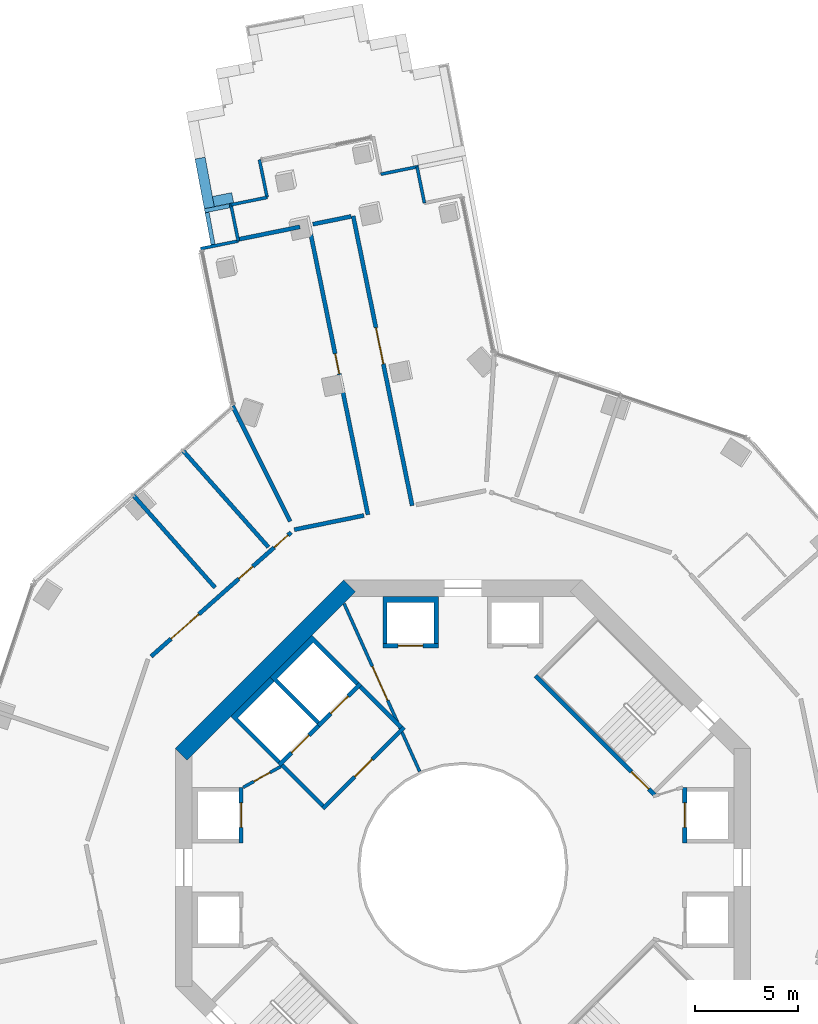
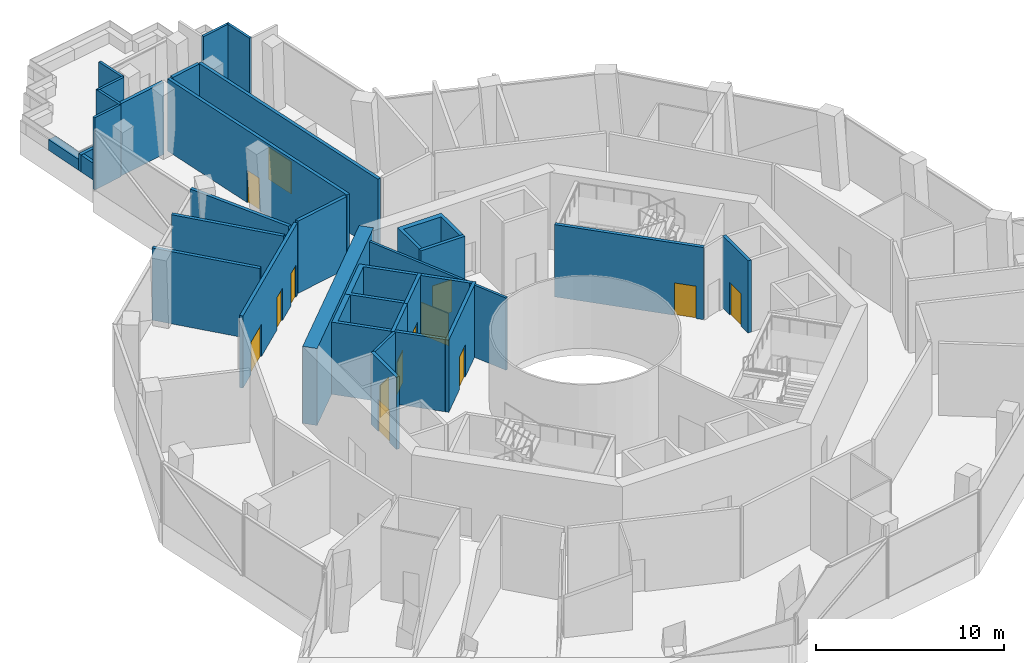
# One storey, part 12 of 20: 34 walls, 14 doors, 14 openings.
"""IFC4 building model written with IfcOpenShell, lengths in metres."""

from ifc_helpers import new_model, si_unit, direction, frame, frame_2d, origin, place, context, subcontext, project, spatial, polyline, rectangle, outline, extrude, material, layer, layer_set, type_object, element, fill, save


model = new_model("IFC4")

# Units and contexts
model_context = context("Model", 3, precision=1e-05, world=origin(), true_north=direction((0.0, 1.0)))
body_context = subcontext(model_context, "Body", "Model", "MODEL_VIEW")
ifc_project = project(units=[si_unit("LENGTHUNIT", "METRE"), si_unit("AREAUNIT", "SQUARE_METRE"), si_unit("VOLUMEUNIT", "CUBIC_METRE"), si_unit("PLANEANGLEUNIT", "RADIAN"), si_unit("MASSUNIT", "GRAM", prefix="KILO")], contexts=[model_context])

# Site, building, storey
site_placement = place(None, origin())
site = spatial("IfcSite", under=ifc_project, at=site_placement, CompositionType="ELEMENT")
building_placement = place(site_placement, origin())
building = spatial("IfcBuilding", under=site, at=building_placement, Name="Verdalira Terraces Hotel", CompositionType="ELEMENT")
storey_placement = place(building_placement, frame((0.0, 0.0, 81.0)))
storey = spatial("IfcBuildingStorey", under=building, at=storey_placement, Name="L18", CompositionType="ELEMENT", Elevation=81.0)

# Walls
ifc_material_1 = material(Name="Concrete C40", Category="concrete")
ifc_layer_1 = layer(ifc_material_1, 0.5)
ifc_layer_set_1 = layer_set([ifc_layer_1], Name="Balcony planter trough with tree")
wall_type_1 = type_object("IfcWallType", Name="Balcony planter trough with tree", PredefinedType="SOLIDWALL", material=ifc_layer_set_1)
wall_1_placement = place(storey_placement, frame((-12.797363, 34.542969, 0.0), z_axis=(0.0, 0.0, 1.0), x_axis=(0.183298702, -0.983057265, 0.0)))
element("IfcWall", 1, at=wall_1_placement, inside=storey, type_object=wall_type_1, Name="Balcony planter", PredefinedType="SOLIDWALL", context=body_context, shape_type="SweptSolid", body=[
    extrude(rectangle(XDim=2.45752, YDim=0.5, at=frame_2d((1.22876, 0.0))), origin(), (0.0, 0.0, 1.0), 0.699951),
])
wall_2_placement = place(storey_placement, frame((-12.152832, 32.42627, 0.0), z_axis=(0.0, 0.0, 1.0), x_axis=(0.979891258, 0.199532261, 0.0)))
element("IfcWall", 2, at=wall_2_placement, inside=storey, type_object=wall_type_1, Name="Balcony planter", PredefinedType="SOLIDWALL", context=body_context, shape_type="SweptSolid", body=[
    extrude(rectangle(XDim=0.96167, YDim=0.5, at=frame_2d((0.480957, 0.0))), origin(), (0.0, 0.0, 1.0), 0.699951),
])

# Wall, opening, door
ifc_material_2 = material(Name="Concrete C50", Category="concrete")
ifc_layer_2 = layer(ifc_material_2, 0.199951171875)
ifc_layer_set_2 = layer_set([ifc_layer_2], Name="Core RC wall 200 C50")
wall_type_2 = type_object("IfcWallType", Name="Core RC wall 200 C50", PredefinedType="SOLIDWALL", material=ifc_layer_set_2)
wall_3_placement = place(storey_placement, frame((10.800049, 1.199951, 0.0), z_axis=(0.0, 0.0, 1.0), x_axis=(0.0, 1.0, 0.0)))
wall_3 = element("IfcWall", 3, at=wall_3_placement, inside=storey, type_object=wall_type_2, Name="L18 shaft front wall E2", PredefinedType="SOLIDWALL", context=body_context, shape_type="SweptSolid", body=[
    extrude(rectangle(XDim=2.699951, YDim=0.199951, at=frame_2d((1.350098, 0.0))), origin(), (0.0, 0.0, 1.0), 4.689941),
])
opening_1_placement = place(wall_3_placement, frame((0.75, 0.0, 0.0)))
opening_1 = element("IfcOpeningElement", 4, at=opening_1_placement, cuts=wall_3, Name="Opening LD-L18-802", PredefinedType="OPENING", context=body_context, shape_type="SweptSolid", body=[
    extrude(rectangle(XDim=1.199951, YDim=2.100098, at=frame_2d((0.600098, 1.050049))), frame((0.0, 0.109863, 0.0), z_axis=(0.0, -1.0, 0.0), x_axis=(1.0, 0.0, 0.0)), (0.0, 0.0, 1.0), 0.219971),
])
ifc_material_3 = material(Name="Stainless steel", Category="steel")
door_type_1 = type_object("IfcDoorType", Name="Landing door 1200 x 2100", OperationType="NOTDEFINED", PredefinedType="DOOR", material=ifc_material_3)
door_1_placement = place(opening_1_placement, origin())
door_1 = element("IfcDoor", 5, at=door_1_placement, inside=storey, type_object=door_type_1, Name="Lift landing door LR2 L18", OperationType="DOUBLE_DOOR_SLIDING", OverallHeight=2.10009765625, OverallWidth=1.199951171875, PredefinedType="DOOR", context=body_context, shape_type="SweptSolid", body=[
    extrude(rectangle(XDim=1.199951, YDim=2.100098, at=frame_2d((0.600098, 1.050049))), frame((0.0, 0.024902, 0.0), z_axis=(0.0, -1.0, 0.0), x_axis=(1.0, 0.0, 0.0)), (0.0, 0.0, 1.0), 0.050049),
])
fill(opening_1, door_1)

# Wall
wall_4_placement = place(storey_placement, origin())
element("IfcWall", 6, at=wall_4_placement, inside=storey, type_object=wall_type_2, Name="L18 shaft wall N2", PredefinedType="SOLIDWALL", context=body_context, shape_type="SweptSolid", body=[
    extrude(outline(polyline([(-3.899902, 10.899902), (-3.899902, 13.199951), (-1.199951, 13.199951), (-1.199951, 10.899902), (-1.399902, 10.899902), (-1.399902, 12.899902), (-3.699951, 12.899902), (-3.699951, 10.899902), (-3.899902, 10.899902)])), origin(), (0.0, 0.0, 1.0), 4.689941),
])

# Wall, opening, door
wall_5_placement = place(storey_placement, frame((-1.199951, 10.800049, 0.0), z_axis=(0.0, 0.0, 1.0), x_axis=(-1.0, 0.0, 0.0)))
wall_5 = element("IfcWall", 7, at=wall_5_placement, inside=storey, type_object=wall_type_2, Name="L18 shaft front wall N2", PredefinedType="SOLIDWALL", context=body_context, shape_type="SweptSolid", body=[
    extrude(rectangle(XDim=2.699951, YDim=0.199951, at=frame_2d((1.350098, 0.0))), origin(), (0.0, 0.0, 1.0), 4.689941),
])
opening_2_placement = place(wall_5_placement, frame((0.75, 0.0, 0.0)))
opening_2 = element("IfcOpeningElement", 8, at=opening_2_placement, cuts=wall_5, Name="Opening LD-L18-804", PredefinedType="OPENING", context=body_context, shape_type="SweptSolid", body=[
    extrude(rectangle(XDim=1.199951, YDim=2.100098, at=frame_2d((0.600098, 1.050049))), frame((0.0, 0.109863, 0.0), z_axis=(0.0, -1.0, 0.0), x_axis=(1.0, 0.0, 0.0)), (0.0, 0.0, 1.0), 0.219971),
])
door_2_placement = place(opening_2_placement, origin())
door_2 = element("IfcDoor", 9, at=door_2_placement, inside=storey, type_object=door_type_1, Name="Lift landing door LR4 L18", OperationType="DOUBLE_DOOR_SLIDING", OverallHeight=2.10009765625, OverallWidth=1.199951171875, PredefinedType="DOOR", context=body_context, shape_type="SweptSolid", body=[
    extrude(rectangle(XDim=1.199951, YDim=2.100098, at=frame_2d((0.600098, 1.050049))), frame((0.0, 0.024902, 0.0), z_axis=(0.0, -1.0, 0.0), x_axis=(1.0, 0.0, 0.0)), (0.0, 0.0, 1.0), 0.050049),
])
fill(opening_2, door_2)

wall_6_placement = place(storey_placement, frame((-10.800049, 1.199951, 0.0), z_axis=(0.0, 0.0, 1.0), x_axis=(0.0, 1.0, 0.0)))
wall_6 = element("IfcWall", 10, at=wall_6_placement, inside=storey, type_object=wall_type_2, Name="L18 shaft front wall W1", PredefinedType="SOLIDWALL", context=body_context, shape_type="SweptSolid", body=[
    extrude(rectangle(XDim=2.699951, YDim=0.199951, at=frame_2d((1.350098, 0.0))), origin(), (0.0, 0.0, 1.0), 4.689941),
])
opening_3_placement = place(wall_6_placement, frame((0.75, 0.0, 0.0)))
opening_3 = element("IfcOpeningElement", 11, at=opening_3_placement, cuts=wall_6, Name="Opening LD-L18-805", PredefinedType="OPENING", context=body_context, shape_type="SweptSolid", body=[
    extrude(rectangle(XDim=1.199951, YDim=2.100098, at=frame_2d((0.600098, 1.050049))), frame((0.0, 0.109863, 0.0), z_axis=(0.0, -1.0, 0.0), x_axis=(1.0, 0.0, 0.0)), (0.0, 0.0, 1.0), 0.219971),
])
door_3_placement = place(opening_3_placement, origin())
door_3 = element("IfcDoor", 12, at=door_3_placement, inside=storey, type_object=door_type_1, Name="Lift landing door LR5 L18", OperationType="DOUBLE_DOOR_SLIDING", OverallHeight=2.10009765625, OverallWidth=1.199951171875, PredefinedType="DOOR", context=body_context, shape_type="SweptSolid", body=[
    extrude(rectangle(XDim=1.199951, YDim=2.100098, at=frame_2d((0.600098, 1.050049))), frame((0.0, 0.024902, 0.0), z_axis=(0.0, -1.0, 0.0), x_axis=(1.0, 0.0, 0.0)), (0.0, 0.0, 1.0), 0.050049),
])
fill(opening_3, door_3)

# Wall
wall_7_placement = place(storey_placement, origin())
element("IfcWall", 13, at=wall_7_placement, inside=storey, type_object=wall_type_2, Name="L18 shaft wall F1", PredefinedType="SOLIDWALL", context=body_context, shape_type="SweptSolid", body=[
    extrude(outline(polyline([(-9.404541, 9.263184), (-7.354004, 11.313721), (-5.055908, 9.015625), (-5.197266, 8.874268), (-7.283203, 10.960205), (-9.051025, 9.192383), (-6.965088, 7.106445), (-7.106445, 6.965088), (-9.404541, 9.263184)])), origin(), (0.0, 0.0, 1.0), 4.689941),
])

# Wall, opening, door
wall_8_placement = place(storey_placement, frame((-4.985107, 8.944824, 0.0), z_axis=(0.0, 0.0, 1.0), x_axis=(-0.707106781, -0.707106781, 0.0)))
wall_8 = element("IfcWall", 14, at=wall_8_placement, inside=storey, type_object=wall_type_2, Name="L18 shaft front wall F1", PredefinedType="SOLIDWALL", context=body_context, shape_type="SweptSolid", body=[
    extrude(rectangle(XDim=2.899902, YDim=0.199951, at=frame_2d((1.449951, 0.0))), origin(), (0.0, 0.0, 1.0), 4.689941),
])
opening_4_placement = place(wall_8_placement, frame((0.850098, 0.0, 0.0)))
opening_4 = element("IfcOpeningElement", 15, at=opening_4_placement, cuts=wall_8, Name="Opening LD-L18-807", PredefinedType="OPENING", context=body_context, shape_type="SweptSolid", body=[
    extrude(rectangle(XDim=1.199951, YDim=2.100098, at=frame_2d((0.600098, 1.050049))), frame((0.0, 0.109863, 0.0), z_axis=(0.0, -1.0, 0.0), x_axis=(1.0, 0.0, 0.0)), (0.0, 0.0, 1.0), 0.219971),
])
door_4_placement = place(opening_4_placement, origin())
door_4 = element("IfcDoor", 16, at=door_4_placement, inside=storey, type_object=door_type_1, Name="Lift landing door LF11 L18", OperationType="DOUBLE_DOOR_SLIDING", OverallHeight=2.10009765625, OverallWidth=1.199951171875, PredefinedType="DOOR", context=body_context, shape_type="SweptSolid", body=[
    extrude(rectangle(XDim=1.199951, YDim=2.100098, at=frame_2d((0.600098, 1.050049))), frame((0.0, 0.024902, 0.0), z_axis=(0.0, -1.0, 0.0), x_axis=(1.0, 0.0, 0.0)), (0.0, 0.0, 1.0), 0.050049),
])
fill(opening_4, door_4)

# Wall
wall_9_placement = place(storey_placement, origin())
element("IfcWall", 17, at=wall_9_placement, inside=storey, type_object=wall_type_2, Name="L18 shaft wall F2", PredefinedType="SOLIDWALL", context=body_context, shape_type="SweptSolid", body=[
    extrude(outline(polyline([(-11.313721, 7.354004), (-9.404541, 9.263184), (-9.192383, 9.051025), (-10.960205, 7.283203), (-8.874268, 5.197266), (-9.015625, 5.055908), (-11.313721, 7.354004)])), origin(), (0.0, 0.0, 1.0), 4.689941),
])

# Wall, opening, door
wall_10_placement = place(storey_placement, frame((-7.035645, 6.894287, 0.0), z_axis=(0.0, 0.0, 1.0), x_axis=(-0.707106781, -0.707106781, 0.0)))
wall_10 = element("IfcWall", 18, at=wall_10_placement, inside=storey, type_object=wall_type_2, Name="L18 shaft front wall F2", PredefinedType="SOLIDWALL", context=body_context, shape_type="SweptSolid", body=[
    extrude(rectangle(XDim=2.699951, YDim=0.199951, at=frame_2d((1.350098, 0.0))), origin(), (0.0, 0.0, 1.0), 4.689941),
])
opening_5_placement = place(wall_10_placement, frame((0.649902, 0.0, 0.0)))
opening_5 = element("IfcOpeningElement", 19, at=opening_5_placement, cuts=wall_10, Name="Opening LD-L18-808", PredefinedType="OPENING", context=body_context, shape_type="SweptSolid", body=[
    extrude(rectangle(XDim=1.199951, YDim=2.100098, at=frame_2d((0.600098, 1.050049))), frame((0.0, 0.109863, 0.0), z_axis=(0.0, -1.0, 0.0), x_axis=(1.0, 0.0, 0.0)), (0.0, 0.0, 1.0), 0.219971),
])
door_5_placement = place(opening_5_placement, origin())
door_5 = element("IfcDoor", 20, at=door_5_placement, inside=storey, type_object=door_type_1, Name="Lift landing door LF12 L18", OperationType="DOUBLE_DOOR_SLIDING", OverallHeight=2.10009765625, OverallWidth=1.199951171875, PredefinedType="DOOR", context=body_context, shape_type="SweptSolid", body=[
    extrude(rectangle(XDim=1.199951, YDim=2.100098, at=frame_2d((0.600098, 1.050049))), frame((0.0, 0.024902, 0.0), z_axis=(0.0, -1.0, 0.0), x_axis=(1.0, 0.0, 0.0)), (0.0, 0.0, 1.0), 0.050049),
])
fill(opening_5, door_5)

wall_11_placement = place(storey_placement, frame((3.5354, 9.33374, 0.0), z_axis=(0.0, 0.0, 1.0), x_axis=(0.707106781, -0.707106781, 0.0)))
wall_11 = element("IfcWall", 21, at=wall_11_placement, inside=storey, type_object=wall_type_2, Name="L18 stair ST1 front wall", PredefinedType="SOLIDWALL", context=body_context, shape_type="SweptSolid", body=[
    extrude(rectangle(XDim=8.200195, YDim=0.199951, at=frame_2d((4.100098, 0.0))), origin(), (0.0, 0.0, 1.0), 4.689941),
])
opening_6_placement = place(wall_11_placement, frame((6.600098, 0.0, 0.0)))
opening_6 = element("IfcOpeningElement", 22, at=opening_6_placement, cuts=wall_11, Name="Opening L18-809", PredefinedType="OPENING", context=body_context, shape_type="SweptSolid", body=[
    extrude(rectangle(XDim=1.199951, YDim=2.100098, at=frame_2d((0.600098, 1.050049))), frame((0.0, 0.109863, 0.0), z_axis=(0.0, -1.0, 0.0), x_axis=(1.0, 0.0, 0.0)), (0.0, 0.0, 1.0), 0.219971),
])
ifc_material_4 = material(Name="Steel fire door", Category="steel")
door_type_2 = type_object("IfcDoorType", Name="Stair door 1200 x 2100", OperationType="NOTDEFINED", PredefinedType="DOOR", material=ifc_material_4)
door_6_placement = place(opening_6_placement, origin())
door_6 = element("IfcDoor", 23, at=door_6_placement, inside=storey, type_object=door_type_2, Name="Stair door ST1 L18", OperationType="SINGLE_SWING_RIGHT", OverallHeight=2.10009765625, OverallWidth=1.199951171875, PredefinedType="DOOR", context=body_context, shape_type="SweptSolid", body=[
    extrude(rectangle(XDim=1.199951, YDim=2.100098, at=frame_2d((0.600098, 1.050049))), frame((0.0, 0.024902, 0.0), z_axis=(0.0, -1.0, 0.0), x_axis=(1.0, 0.0, 0.0)), (0.0, 0.0, 1.0), 0.050049),
])
fill(opening_6, door_6)

wall_12_placement = place(storey_placement, frame((-2.86377, 6.823486, 0.0), z_axis=(0.0, 0.0, 1.0), x_axis=(-0.707106781, -0.707106781, 0.0)))
wall_12 = element("IfcWall", 24, at=wall_12_placement, inside=storey, type_object=wall_type_2, Name="L18 fire lobby wall", PredefinedType="SOLIDWALL", context=body_context, shape_type="SweptSolid", body=[
    extrude(rectangle(XDim=5.599854, YDim=0.199951, at=frame_2d((2.799805, 0.0))), origin(), (0.0, 0.0, 1.0), 4.689941),
])
opening_7_placement = place(wall_12_placement, frame((2.199951, 0.0, 0.0)))
opening_7 = element("IfcOpeningElement", 25, at=opening_7_placement, cuts=wall_12, Name="Opening L18-819", PredefinedType="OPENING", context=body_context, shape_type="SweptSolid", body=[
    extrude(rectangle(XDim=1.199951, YDim=2.100098, at=frame_2d((0.600098, 1.050049))), frame((0.0, 0.109863, 0.0), z_axis=(0.0, -1.0, 0.0), x_axis=(1.0, 0.0, 0.0)), (0.0, 0.0, 1.0), 0.219971),
])
ifc_material_5 = material(Name="Steel fire door", Category="steel")
door_type_3 = type_object("IfcDoorType", Name="Lobby door 1200 x 2100", OperationType="NOTDEFINED", PredefinedType="DOOR", material=ifc_material_5)
door_7_placement = place(opening_7_placement, origin())
door_7 = element("IfcDoor", 26, at=door_7_placement, inside=storey, type_object=door_type_3, Name="Fire lobby door L18", OperationType="SINGLE_SWING_LEFT", OverallHeight=2.10009765625, OverallWidth=1.199951171875, PredefinedType="DOOR", context=body_context, shape_type="SweptSolid", body=[
    extrude(rectangle(XDim=1.199951, YDim=2.100098, at=frame_2d((0.600098, 1.050049))), frame((0.0, 0.024902, 0.0), z_axis=(0.0, -1.0, 0.0), x_axis=(1.0, 0.0, 0.0)), (0.0, 0.0, 1.0), 0.050049),
])
fill(opening_7, door_7)

# Walls
for number, where, z_axis, x_axis, name in (
    (27, (-3.005127, 6.823486, 0.0), (0.0, 0.0, 1.0), (-0.707106781, 0.707106781, 0.0), "L18 fire lobby wall"),
    (28, (-6.823486, 3.005127, 0.0), (0.0, 0.0, 1.0), (-0.707106781, 0.707106781, 0.0), "L18 fire lobby wall"),
):
    element("IfcWall", number, at=place(storey_placement, frame(where, z_axis=z_axis, x_axis=x_axis)), inside=storey, type_object=wall_type_2, Name=name, PredefinedType="SOLIDWALL", context=body_context, shape_type="SweptSolid", body=[
        extrude(rectangle(XDim=2.800049, YDim=0.199951, at=frame_2d((1.399902, 0.0))), origin(), (0.0, 0.0, 1.0), 4.689941),
    ])

# Wall, opening, door
ifc_material_6 = material(Name="Gypsum board partition")
ifc_layer_3 = layer(ifc_material_6, 0.14990234375)
ifc_layer_set_3 = layer_set([ifc_layer_3], Name="Core partition 150 mm")
wall_type_3 = type_object("IfcWallType", Name="Core partition 150 mm", PredefinedType="PARTITIONING", material=ifc_layer_set_3)
wall_13_placement = place(storey_placement, frame((-8.874268, 4.914307, 0.0), z_axis=(0.0, 0.0, 1.0), x_axis=(-0.874129705, -0.485692555, 0.0)))
wall_13 = element("IfcWall", 29, at=wall_13_placement, inside=storey, type_object=wall_type_3, Name="Room partition L18", PredefinedType="PARTITIONING", context=body_context, shape_type="SweptSolid", body=[
    extrude(rectangle(XDim=2.088623, YDim=0.149902, at=frame_2d((1.044434, 0.0))), origin(), (0.0, 0.0, 1.0), 4.689941),
])
opening_8_placement = place(wall_13_placement, frame((0.594238, 0.0, 0.0)))
opening_8 = element("IfcOpeningElement", 30, at=opening_8_placement, cuts=wall_13, Name="Opening L18-821", PredefinedType="OPENING", context=body_context, shape_type="SweptSolid", body=[
    extrude(rectangle(XDim=0.899902, YDim=2.100098, at=frame_2d((0.449951, 1.050049))), frame((0.0, 0.084961, 0.0), z_axis=(0.0, -1.0, 0.0), x_axis=(1.0, 0.0, 0.0)), (0.0, 0.0, 1.0), 0.169922),
])
ifc_material_7 = material(Name="Steel fire door", Category="steel")
door_type_4 = type_object("IfcDoorType", Name="Core room door 900 x 2100", OperationType="NOTDEFINED", PredefinedType="DOOR", material=ifc_material_7)
door_8_placement = place(opening_8_placement, origin())
door_8 = element("IfcDoor", 31, at=door_8_placement, inside=storey, type_object=door_type_4, Name="Door L18 room3", OperationType="SINGLE_SWING_LEFT", OverallHeight=2.10009765625, OverallWidth=0.89990234375, PredefinedType="DOOR", context=body_context, shape_type="SweptSolid", body=[
    extrude(rectangle(XDim=0.899902, YDim=2.100098, at=frame_2d((0.449951, 1.050049))), frame((0.0, 0.024902, 0.0), z_axis=(0.0, -1.0, 0.0), x_axis=(1.0, 0.0, 0.0)), (0.0, 0.0, 1.0), 0.050049),
])
fill(opening_8, door_8)

wall_14_placement = place(storey_placement, frame((-5.783691, 12.843994, 0.0), z_axis=(0.0, 0.0, 1.0), x_axis=(0.41058002, -0.91182457, 0.0)))
wall_14 = element("IfcWall", 32, at=wall_14_placement, inside=storey, type_object=wall_type_3, Name="Gallery fire partition L18", PredefinedType="PARTITIONING", context=body_context, shape_type="SweptSolid", body=[
    extrude(rectangle(XDim=8.956299, YDim=0.149902, at=frame_2d((4.478027, 0.0))), origin(), (0.0, 0.0, 1.0), 4.689941),
])
opening_9_placement = place(wall_14_placement, frame((3.356201, 0.0, 0.0)))
opening_9 = element("IfcOpeningElement", 33, at=opening_9_placement, cuts=wall_14, Name="Opening L18-824", PredefinedType="OPENING", context=body_context, shape_type="SweptSolid", body=[
    extrude(rectangle(XDim=1.800049, YDim=2.100098, at=frame_2d((0.899902, 1.050049))), frame((0.0, 0.084961, 0.0), z_axis=(0.0, -1.0, 0.0), x_axis=(1.0, 0.0, 0.0)), (0.0, 0.0, 1.0), 0.169922),
])
ifc_material_8 = material(Name="Steel fire door", Category="steel")
door_type_5 = type_object("IfcDoorType", Name="Gallery fire door pair 1800 x 2100", OperationType="NOTDEFINED", PredefinedType="DOOR", material=ifc_material_8)
door_9_placement = place(opening_9_placement, origin())
door_9 = element("IfcDoor", 34, at=door_9_placement, inside=storey, type_object=door_type_5, Name="Door L18 split2", OperationType="DOUBLE_DOOR_SINGLE_SWING", OverallHeight=2.10009765625, OverallWidth=1.800048828125, PredefinedType="DOOR", context=body_context, shape_type="SweptSolid", body=[
    extrude(rectangle(XDim=1.800049, YDim=2.100098, at=frame_2d((0.899902, 1.050049))), frame((0.0, 0.024902, 0.0), z_axis=(0.0, -1.0, 0.0), x_axis=(1.0, 0.0, 0.0)), (0.0, 0.0, 1.0), 0.050049),
])
fill(opening_9, door_9)

# Walls
ifc_material_9 = material(Name="Concrete C70", Category="concrete")
ifc_layer_4 = layer(ifc_material_9, 0.800048828125)
ifc_layer_set_4 = layer_set([ifc_layer_4], Name="Core wall 800 C70")
wall_type_4 = type_object("IfcWallType", Name="Core wall 800 C70", PredefinedType="SHEAR", material=ifc_layer_set_4)
wall_15_placement = place(storey_placement, frame((-5.516113, 13.717285, 0.0), z_axis=(0.0, 0.0, 1.0), x_axis=(-0.707106781, -0.707106781, 0.0)))
element("IfcWall", 35, at=wall_15_placement, inside=storey, type_object=wall_type_4, Name="Core wall CW-L18-4", PredefinedType="SHEAR", context=body_context, shape_type="SweptSolid", body=[
    extrude(rectangle(XDim=11.598145, YDim=0.800049, at=frame_2d((5.799072, 0.0))), origin(), (0.0, 0.0, 1.0), 5.0),
])
ifc_material_10 = material(Name="Fire-rated gypsum board wall")
ifc_layer_5 = layer(ifc_material_10, 0.199951171875)
ifc_layer_set_5 = layer_set([ifc_layer_5], Name="Demising wall 200 mm")
wall_type_5 = type_object("IfcWallType", Name="Demising wall 200 mm", PredefinedType="SOLIDWALL", material=ifc_layer_set_5)
wall_16_placement = place(storey_placement, frame((-7.934814, 31.193604, 0.0), z_axis=(0.0, 0.0, 1.0), x_axis=(-0.979862811, -0.19967191, 0.0)))
element("IfcWall", 36, at=wall_16_placement, inside=storey, type_object=wall_type_5, Name="Demising wall", PredefinedType="SOLIDWALL", context=body_context, shape_type="SweptSolid", body=[
    extrude(rectangle(XDim=3.154541, YDim=0.199951, at=frame_2d((1.577148, 0.0))), origin(), (0.0, 0.0, 1.0), 4.689941),
])

# Wall, openings, doors
ifc_material_11 = material(Name="Fire-rated gypsum board wall")
ifc_layer_6 = layer(ifc_material_11, 0.199951171875)
ifc_layer_set_6 = layer_set([ifc_layer_6], Name="Guest corridor wall 200 mm")
wall_type_6 = type_object("IfcWallType", Name="Guest corridor wall 200 mm", PredefinedType="SOLIDWALL", material=ifc_layer_set_6)
wall_17_placement = place(storey_placement, frame((-15.184082, 10.274902, 0.0), z_axis=(0.0, 0.0, 1.0), x_axis=(0.748733244, 0.662871428, 0.0)))
wall_17 = element("IfcWall", 37, at=wall_17_placement, inside=storey, type_object=wall_type_6, Name="Guest corridor wall", PredefinedType="SOLIDWALL", context=body_context, shape_type="SweptSolid", body=[
    extrude(rectangle(XDim=9.115967, YDim=0.199951, at=frame_2d((4.558105, 0.0))), origin(), (0.0, 0.0, 1.0), 4.689941),
])
opening_10_placement = place(wall_17_placement, frame((1.300049, 0.0, 0.0)))
opening_10 = element("IfcOpeningElement", 38, at=opening_10_placement, cuts=wall_17, Name="Opening L18-103", PredefinedType="OPENING", context=body_context, shape_type="SweptSolid", body=[
    extrude(rectangle(XDim=1.800049, YDim=2.100098, at=frame_2d((0.899902, 1.050049))), frame((0.0, 0.109863, 0.0), z_axis=(0.0, -1.0, 0.0), x_axis=(1.0, 0.0, 0.0)), (0.0, 0.0, 1.0), 0.219971),
])
opening_11_placement = place(wall_17_placement, frame((8.007812, 0.0, 0.0)))
opening_11 = element("IfcOpeningElement", 39, at=opening_11_placement, cuts=wall_17, Name="Opening L18-123", PredefinedType="OPENING", context=body_context, shape_type="SweptSolid", body=[
    extrude(rectangle(XDim=0.899902, YDim=2.100098, at=frame_2d((0.449951, 1.050049))), frame((0.0, 0.109863, 0.0), z_axis=(0.0, -1.0, 0.0), x_axis=(1.0, 0.0, 0.0)), (0.0, 0.0, 1.0), 0.219971),
])
opening_12_placement = place(wall_17_placement, frame((5.707764, 0.0, 0.0)))
opening_12 = element("IfcOpeningElement", 40, at=opening_12_placement, cuts=wall_17, Name="Opening L18-124", PredefinedType="OPENING", context=body_context, shape_type="SweptSolid", body=[
    extrude(rectangle(XDim=0.899902, YDim=2.100098, at=frame_2d((0.449951, 1.050049))), frame((0.0, 0.109863, 0.0), z_axis=(0.0, -1.0, 0.0), x_axis=(1.0, 0.0, 0.0)), (0.0, 0.0, 1.0), 0.219971),
])
ifc_material_12 = material(Name="Timber fire door", Category="wood")
door_type_6 = type_object("IfcDoorType", Name="Public room double door 1800 x 2100", OperationType="NOTDEFINED", PredefinedType="DOOR", material=ifc_material_12)
door_10_placement = place(opening_10_placement, origin())
door_10 = element("IfcDoor", 41, at=door_10_placement, inside=storey, type_object=door_type_6, Name="Public room double door 1803", OperationType="DOUBLE_DOOR_SINGLE_SWING", OverallHeight=2.10009765625, OverallWidth=1.800048828125, PredefinedType="DOOR", context=body_context, shape_type="SweptSolid", body=[
    extrude(rectangle(XDim=1.800049, YDim=2.100098, at=frame_2d((0.899902, 1.050049))), frame((0.0, 0.024902, 0.0), z_axis=(0.0, -1.0, 0.0), x_axis=(1.0, 0.0, 0.0)), (0.0, 0.0, 1.0), 0.050049),
])
fill(opening_10, door_10)
ifc_material_13 = material(Name="Timber fire door", Category="wood")
door_type_7 = type_object("IfcDoorType", Name="Toilet door 900 x 2100", OperationType="NOTDEFINED", PredefinedType="DOOR", material=ifc_material_13)
door_11_placement = place(opening_11_placement, origin())
door_11 = element("IfcDoor", 42, at=door_11_placement, inside=storey, type_object=door_type_7, Name="Toilet door 1817", OperationType="SINGLE_SWING_LEFT", OverallHeight=2.10009765625, OverallWidth=0.89990234375, PredefinedType="DOOR", context=body_context, shape_type="SweptSolid", body=[
    extrude(rectangle(XDim=0.899902, YDim=2.100098, at=frame_2d((0.449951, 1.050049))), frame((0.0, 0.024902, 0.0), z_axis=(0.0, -1.0, 0.0), x_axis=(1.0, 0.0, 0.0)), (0.0, 0.0, 1.0), 0.050049),
])
fill(opening_11, door_11)
door_12_placement = place(opening_12_placement, origin())
door_12 = element("IfcDoor", 43, at=door_12_placement, inside=storey, type_object=door_type_7, Name="Toilet door 1818", OperationType="SINGLE_SWING_LEFT", OverallHeight=2.10009765625, OverallWidth=0.89990234375, PredefinedType="DOOR", context=body_context, shape_type="SweptSolid", body=[
    extrude(rectangle(XDim=0.899902, YDim=2.100098, at=frame_2d((0.449951, 1.050049))), frame((0.0, 0.024902, 0.0), z_axis=(0.0, -1.0, 0.0), x_axis=(1.0, 0.0, 0.0)), (0.0, 0.0, 1.0), 0.050049),
])
fill(opening_12, door_12)

# Walls
wall_18_placement = place(storey_placement, frame((-4.820312, 17.141113, 0.0), z_axis=(0.0, 0.0, 1.0), x_axis=(-0.979840736, -0.199780208, 0.0)))
element("IfcWall", 44, at=wall_18_placement, inside=storey, type_object=wall_type_6, Name="Guest corridor wall", PredefinedType="SOLIDWALL", context=body_context, shape_type="SweptSolid", body=[
    extrude(rectangle(XDim=3.458496, YDim=0.199951, at=frame_2d((1.729248, 0.0))), origin(), (0.0, 0.0, 1.0), 4.689941),
])
wall_19_placement = place(storey_placement, frame((-5.442871, 31.70166, 0.0), z_axis=(0.0, 0.0, 1.0), x_axis=(-0.979857461, -0.199698163, 0.0)))
element("IfcWall", 45, at=wall_19_placement, inside=storey, type_object=wall_type_6, Name="Guest corridor wall", PredefinedType="SOLIDWALL", context=body_context, shape_type="SweptSolid", body=[
    extrude(rectangle(XDim=1.899902, YDim=0.199951, at=frame_2d((0.949951, 0.0))), origin(), (0.0, 0.0, 1.0), 4.689941),
])

# Wall, opening, door
wall_20_placement = place(storey_placement, frame((-4.624512, 17.180908, 0.0), z_axis=(0.0, 0.0, 1.0), x_axis=(-0.199700098, 0.979857066, 0.0)))
wall_20 = element("IfcWall", 46, at=wall_20_placement, inside=storey, type_object=wall_type_6, Name="Guest corridor wall", PredefinedType="SOLIDWALL", context=body_context, shape_type="SweptSolid", body=[
    extrude(rectangle(XDim=14.391602, YDim=0.199951, at=frame_2d((7.195801, 0.0))), origin(), (0.0, 0.0, 1.0), 4.689941),
])
opening_13_placement = place(wall_20_placement, frame((7.0, 0.0, 0.0)))
opening_13 = element("IfcOpeningElement", 47, at=opening_13_placement, cuts=wall_20, Name="Opening L18-102", PredefinedType="OPENING", context=body_context, shape_type="SweptSolid", body=[
    extrude(rectangle(XDim=1.0, YDim=2.100098, at=frame_2d((0.5, 1.050049))), frame((0.0, 0.109863, 0.0), z_axis=(0.0, -1.0, 0.0), x_axis=(1.0, 0.0, 0.0)), (0.0, 0.0, 1.0), 0.219971),
])
ifc_material_14 = material(Name="Timber fire door", Category="wood")
door_type_8 = type_object("IfcDoorType", Name="Public room door 1000 x 2100", OperationType="NOTDEFINED", PredefinedType="DOOR", material=ifc_material_14)
door_13_placement = place(opening_13_placement, origin())
door_13 = element("IfcDoor", 48, at=door_13_placement, inside=storey, type_object=door_type_8, Name="Public room door 1802", OperationType="SINGLE_SWING_LEFT", OverallHeight=2.10009765625, OverallWidth=1.0, PredefinedType="DOOR", context=body_context, shape_type="SweptSolid", body=[
    extrude(rectangle(XDim=1.0, YDim=2.100098, at=frame_2d((0.5, 1.050049))), frame((0.0, 0.024902, 0.0), z_axis=(0.0, -1.0, 0.0), x_axis=(1.0, 0.0, 0.0)), (0.0, 0.0, 1.0), 0.050049),
])
fill(opening_13, door_13)

wall_21_placement = place(storey_placement, frame((-5.342285, 31.720215, 0.0), z_axis=(0.0, 0.0, 1.0), x_axis=(0.199694078, -0.979858293, 0.0)))
wall_21 = element("IfcWall", 49, at=wall_21_placement, inside=storey, type_object=wall_type_6, Name="Guest corridor wall", PredefinedType="SOLIDWALL", context=body_context, shape_type="SweptSolid", body=[
    extrude(rectangle(XDim=14.389648, YDim=0.199951, at=frame_2d((7.194824, 0.0))), origin(), (0.0, 0.0, 1.0), 4.689941),
])
opening_14_placement = place(wall_21_placement, frame((5.550049, 0.0, 0.0)))
opening_14 = element("IfcOpeningElement", 50, at=opening_14_placement, cuts=wall_21, Name="Opening L18-101", PredefinedType="OPENING", context=body_context, shape_type="SweptSolid", body=[
    extrude(rectangle(XDim=1.800049, YDim=2.100098, at=frame_2d((0.899902, 1.050049))), frame((0.0, 0.109863, 0.0), z_axis=(0.0, -1.0, 0.0), x_axis=(1.0, 0.0, 0.0)), (0.0, 0.0, 1.0), 0.219971),
])
door_14_placement = place(opening_14_placement, origin())
door_14 = element("IfcDoor", 51, at=door_14_placement, inside=storey, type_object=door_type_6, Name="Public room double door 1801", OperationType="DOUBLE_DOOR_SINGLE_SWING", OverallHeight=2.10009765625, OverallWidth=1.800048828125, PredefinedType="DOOR", context=body_context, shape_type="SweptSolid", body=[
    extrude(rectangle(XDim=1.800049, YDim=2.100098, at=frame_2d((0.899902, 1.050049))), frame((0.0, 0.024902, 0.0), z_axis=(0.0, -1.0, 0.0), x_axis=(1.0, 0.0, 0.0)), (0.0, 0.0, 1.0), 0.050049),
])
fill(opening_14, door_14)

# Walls
ifc_material_15 = material(Name="Fire-rated gypsum board wall")
ifc_layer_7 = layer(ifc_material_15, 0.199951171875)
ifc_layer_set_7 = layer_set([ifc_layer_7], Name="Service room wall 200 mm")
wall_type_7 = type_object("IfcWallType", Name="Service room wall 200 mm", PredefinedType="SOLIDWALL", material=ifc_layer_set_7)
wall_22_placement = place(storey_placement, frame((-16.080322, 18.162842, 0.0), z_axis=(0.0, 0.0, 1.0), x_axis=(0.662885401, -0.748720872, 0.0)))
element("IfcWall", 52, at=wall_22_placement, inside=storey, type_object=wall_type_7, Name="Service room wall", PredefinedType="SOLIDWALL", context=body_context, shape_type="SweptSolid", body=[
    extrude(rectangle(XDim=6.052734, YDim=0.199951, at=frame_2d((3.026367, 0.0))), origin(), (0.0, 0.0, 1.0), 4.689941),
])
wall_23_placement = place(storey_placement, frame((-9.470947, 15.600098, 0.0), z_axis=(0.0, 0.0, 1.0), x_axis=(-0.662863979, 0.748739838, 0.0)))
element("IfcWall", 53, at=wall_23_placement, inside=storey, type_object=wall_type_7, Name="Service room wall", PredefinedType="SOLIDWALL", context=body_context, shape_type="SweptSolid", body=[
    extrude(rectangle(XDim=6.300049, YDim=0.199951, at=frame_2d((3.149902, 0.0))), origin(), (0.0, 0.0, 1.0), 4.689941),
])
ifc_material_16 = material(Name="Fire-rated gypsum board wall")
ifc_layer_8 = layer(ifc_material_16, 0.199951171875)
ifc_layer_set_8 = layer_set([ifc_layer_8], Name="Service room wall 200 mm to beam soffit")
wall_type_8 = type_object("IfcWallType", Name="Service room wall 200 mm to beam soffit", PredefinedType="SOLIDWALL", material=ifc_layer_set_8)
wall_24_placement = place(storey_placement, frame((-8.408691, 16.850586, 0.0), z_axis=(0.0, 0.0, 1.0), x_axis=(-0.446513898, 0.894776698, 0.0)))
element("IfcWall", 54, at=wall_24_placement, inside=storey, type_object=wall_type_8, Name="Service room wall", PredefinedType="SOLIDWALL", context=body_context, shape_type="SweptSolid", body=[
    extrude(rectangle(XDim=6.281738, YDim=0.199951, at=frame_2d((3.140869, 0.0))), origin(), (0.0, 0.0, 1.0), 4.189941),
])
ifc_material_17 = material(Name="Terracotta cladding", Category="masonry")
ifc_layer_9 = layer(ifc_material_17, 0.199951171875)
ifc_layer_set_9 = layer_set([ifc_layer_9], Name="Terracotta clad parapet 200")
wall_type_9 = type_object("IfcWallType", Name="Terracotta clad parapet 200", PredefinedType="PARAPET", material=ifc_layer_set_9)
wall_25_placement = place(storey_placement, frame((-11.364502, 32.219482, 0.0), z_axis=(0.0, 0.0, 1.0), x_axis=(-0.97985715, -0.199699686, 0.0)))
element("IfcWall", 55, at=wall_25_placement, inside=storey, type_object=wall_type_9, Name="Terracotta clad parapet", PredefinedType="PARAPET", context=body_context, shape_type="SweptSolid", body=[
    extrude(rectangle(XDim=1.231201, YDim=0.199951, at=frame_2d((0.615723, 0.0))), origin(), (0.0, 0.0, 1.0), 1.100098),
])
wall_26_placement = place(storey_placement, frame((-12.455811, 31.893311, 0.0), z_axis=(0.0, 0.0, 1.0), x_axis=(0.183146411, -0.983085648, 0.0)))
element("IfcWall", 56, at=wall_26_placement, inside=storey, type_object=wall_type_9, Name="Terracotta clad parapet", PredefinedType="PARAPET", context=body_context, shape_type="SweptSolid", body=[
    extrude(rectangle(XDim=1.587646, YDim=0.199951, at=frame_2d((0.793945, 0.0))), origin(), (0.0, 0.0, 1.0), 1.100098),
])
ifc_material_18 = material(Name="Terracotta cladding", Category="masonry")
ifc_layer_10 = layer(ifc_material_18, 0.14990234375)
ifc_layer_set_10 = layer_set([ifc_layer_10], Name="Terracotta clad wall 150")
wall_type_10 = type_object("IfcWallType", Name="Terracotta clad wall 150", PredefinedType="SOLIDWALL", material=ifc_layer_set_10)
wall_27_placement = place(storey_placement, frame((-1.873779, 32.352539, 0.0), z_axis=(0.0, 0.0, 1.0), x_axis=(-0.199792592, 0.979838211, 0.0)))
element("IfcWall", 57, at=wall_27_placement, inside=storey, type_object=wall_type_10, Name="Terracotta cladding wall", PredefinedType="SOLIDWALL", context=body_context, shape_type="SweptSolid", body=[
    extrude(rectangle(XDim=1.800049, YDim=0.149902, at=frame_2d((0.899902, 0.0))), origin(), (0.0, 0.0, 1.0), 4.689941),
])
for number, where, z_axis, x_axis, name in (
    (58, (-2.159912, 34.131348, 0.0), (0.0, 0.0, 1.0), (-0.979847769, -0.199745711, 0.0), "Terracotta cladding wall"),
    (59, (-9.907715, 34.465576, 0.0), (0.0, 0.0, 1.0), (0.199745711, -0.979847769, 0.0), "Terracotta cladding wall"),
):
    element("IfcWall", number, at=place(storey_placement, frame(where, z_axis=z_axis, x_axis=x_axis)), inside=storey, type_object=wall_type_10, Name=name, PredefinedType="SOLIDWALL", context=body_context, shape_type="SweptSolid", body=[
        extrude(rectangle(XDim=1.875, YDim=0.149902, at=frame_2d((0.9375, 0.0))), origin(), (0.0, 0.0, 1.0), 4.689941),
    ])
wall_28_placement = place(storey_placement, frame((-9.533203, 32.628418, 0.0), z_axis=(0.0, 0.0, 1.0), x_axis=(-0.979870162, -0.199635831, 0.0)))
element("IfcWall", 60, at=wall_28_placement, inside=storey, type_object=wall_type_10, Name="Terracotta cladding wall", PredefinedType="SOLIDWALL", context=body_context, shape_type="SweptSolid", body=[
    extrude(rectangle(XDim=1.800049, YDim=0.149902, at=frame_2d((0.899902, 0.0))), origin(), (0.0, 0.0, 1.0), 4.689941),
])
wall_29_placement = place(storey_placement, frame((-11.312012, 32.342529, 0.0), z_axis=(0.0, 0.0, 1.0), x_axis=(0.199720229, -0.979852963, 0.0)))
element("IfcWall", 61, at=wall_29_placement, inside=storey, type_object=wall_type_10, Name="Terracotta cladding wall", PredefinedType="SOLIDWALL", context=body_context, shape_type="SweptSolid", body=[
    extrude(rectangle(XDim=1.875244, YDim=0.149902, at=frame_2d((0.9375, 0.0))), origin(), (0.0, 0.0, 1.0), 4.689941),
])
wall_30_placement = place(storey_placement, frame((-10.9375, 30.505127, 0.0), z_axis=(0.0, 0.0, 1.0), x_axis=(-0.979847769, -0.199745711, 0.0)))
element("IfcWall", 62, at=wall_30_placement, inside=storey, type_object=wall_type_10, Name="Terracotta cladding wall", PredefinedType="SOLIDWALL", context=body_context, shape_type="SweptSolid", body=[
    extrude(rectangle(XDim=1.875, YDim=0.149902, at=frame_2d((0.9375, 0.0))), origin(), (0.0, 0.0, 1.0), 4.689941),
])

save(model, "model.ifc")
